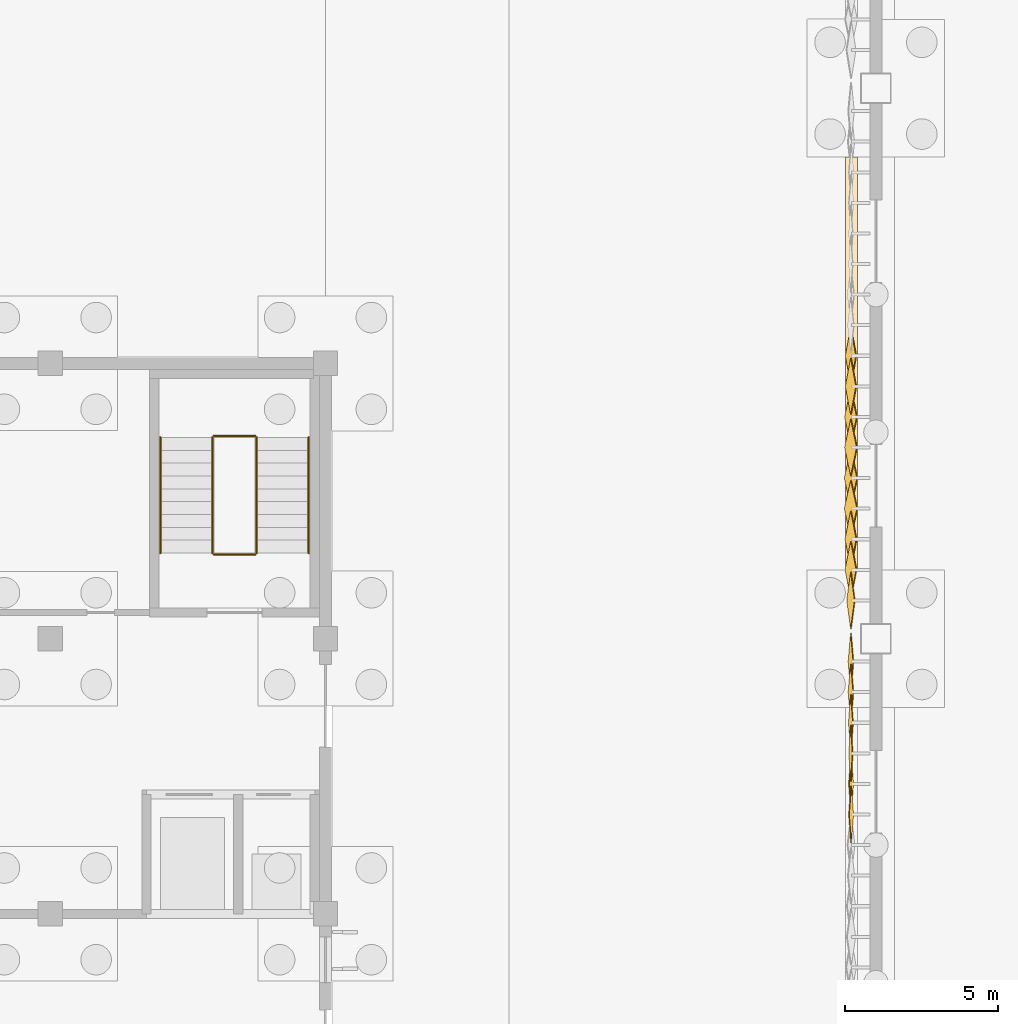
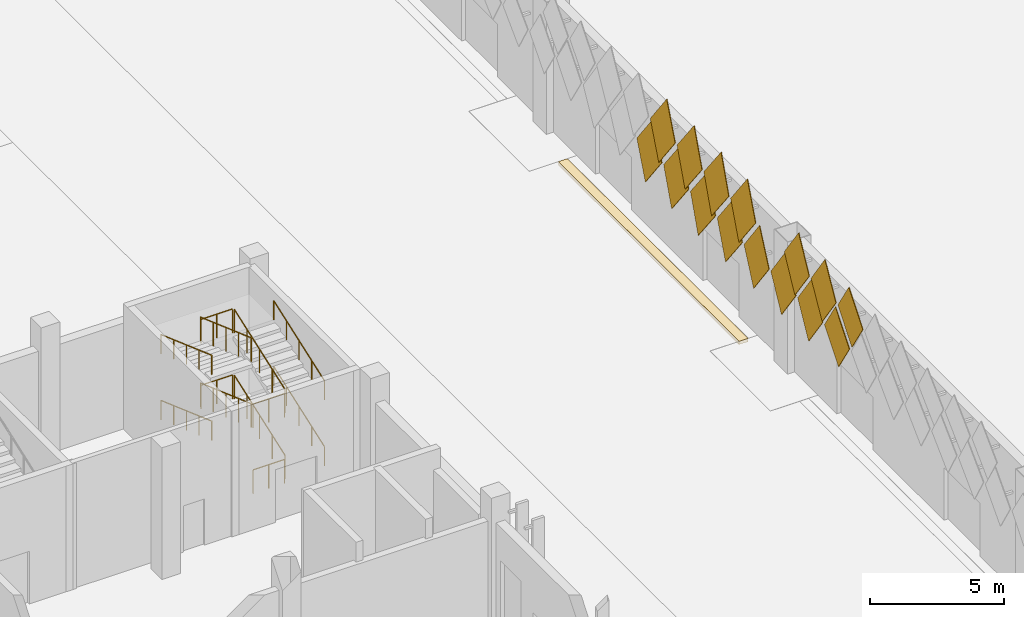
# One storey, part 151 of 198: 16 coverings, 12 railings.
"""IFC4 building model written with IfcOpenShell, lengths in metres."""

from ifc_helpers import new_model, si_unit, direction, frame, origin, origin_2d, place, context, subcontext, project, spatial, polyline, circle, outline, extrude, material, layer, layer_set, constituent, constituent_set, material_profile, profile_set, type_object, element, save


model = new_model("IFC4")

# Units and contexts
model_context = context("Model", 3, precision=1e-05, world=origin(), true_north=direction((0.0, 1.0)))
body_context = subcontext(model_context, "Body", "Model", "MODEL_VIEW")
ifc_project = project(units=[si_unit("LENGTHUNIT", "METRE"), si_unit("AREAUNIT", "SQUARE_METRE"), si_unit("VOLUMEUNIT", "CUBIC_METRE"), si_unit("PLANEANGLEUNIT", "RADIAN"), si_unit("MASSUNIT", "GRAM", prefix="KILO")], contexts=[model_context])

# Site, building, storey
site_placement = place(None, origin())
site = spatial("IfcSite", under=ifc_project, at=site_placement, CompositionType="ELEMENT")
building_placement = place(site_placement, origin())
building = spatial("IfcBuilding", under=site, at=building_placement, Name="Opaline Strait Convention Centre", CompositionType="ELEMENT")
storey_placement = place(building_placement, origin())
storey = spatial("IfcBuildingStorey", under=building, at=storey_placement, Name="L00", CompositionType="ELEMENT", Elevation=0.0)

# Coverings
ifc_material_1 = material(Name="White ceramic-faced aluminium tile", Category="aluminium")
ifc_material_profile_1 = material_profile(ifc_material_1, outline(polyline([(0.927978515625, 0.0), (0.0, 1.39208984375), (-0.927978515625, 0.0), (0.0, -1.39208984375), (0.927978515625, 0.0)])), Name="Diamond tile 1856x2784")
ifc_profile_set_1 = profile_set([ifc_material_profile_1], Name="White ceramic-faced aluminium tile")
covering_type_1 = type_object("IfcCoveringType", Name="Diamond wall tile 1856x2784x30 pivot 2.5 deg", PredefinedType="CLADDING", material=ifc_profile_set_1)
for number, where, z_axis, x_axis, name in (
    (1, (98.199951171875, 85.25, 4.39208984375), (-0.998812351125, 0.0, -0.048722553713), (0.0, -1.0, 0.0), "Wall tile XT05 W"),
    (2, (98.199951171875, 86.25, 5.89208984375), (-0.999174794796, 0.0, 0.040616861577), (0.0, -1.0, 0.0), "Wall tile XT05 W"),
    (3, (98.199951171875, 84.25, 5.89208984375), (-0.998812351125, 0.0, -0.048722553713), (0.0, -1.0, 0.0), "Wall tile XT05 W"),
):
    element("IfcCovering", number, at=place(storey_placement, frame(where, z_axis=z_axis, x_axis=x_axis)), inside=storey, type_object=covering_type_1, Name=name, PredefinedType="CLADDING", context=body_context, shape_type="SweptSolid", body=[
        extrude(outline(polyline([(0.927978515625, 0.0), (0.0, 1.39208984375), (-0.927978515625, 0.0), (0.0, -1.39208984375), (0.927978515625, 0.0)])), origin(), (0.0, 0.0, 1.0), 0.030029296875),
    ])
ifc_material_profile_2 = material_profile(ifc_material_1, outline(polyline([(0.927978515625, 0.0), (0.0, 1.39208984375), (-0.927978515625, 0.0), (0.0, -1.39208984375), (0.927978515625, 0.0)])), Name="Diamond tile 1856x2784")
ifc_profile_set_2 = profile_set([ifc_material_profile_2], Name="White ceramic-faced aluminium tile")
covering_type_2 = type_object("IfcCoveringType", Name="Diamond wall tile 1856x2784x30 pivot 3 deg", PredefinedType="CLADDING", material=ifc_profile_set_2)
covering_1_placement = place(storey_placement, frame((98.199951171875, 87.25, 4.39208984375), z_axis=(-0.998812351125, 0.0, 0.048722553713), x_axis=(0.0, -1.0, 0.0)))
element("IfcCovering", 4, at=covering_1_placement, inside=storey, type_object=covering_type_2, Name="Wall tile XT06 W", PredefinedType="CLADDING", context=body_context, shape_type="SweptSolid", body=[
    extrude(outline(polyline([(0.927978515625, 0.0), (0.0, 1.39208984375), (-0.927978515625, 0.0), (0.0, -1.39208984375), (0.927978515625, 0.0)])), origin(), (0.0, 0.0, 1.0), 0.030029296875),
])
ifc_material_profile_3 = material_profile(ifc_material_1, outline(polyline([(0.927978515625, 0.0), (0.0, 1.39208984375), (-0.927978515625, 0.0), (0.0, -1.39208984375), (0.927978515625, 0.0)])), Name="Diamond tile 1856x2784")
ifc_profile_set_3 = profile_set([ifc_material_profile_3], Name="White ceramic-faced aluminium tile")
covering_type_3 = type_object("IfcCoveringType", Name="Diamond wall tile 1856x2784x30 pivot 3.5 deg", PredefinedType="CLADDING", material=ifc_profile_set_3)
for number, where, z_axis, x_axis, name in (
    (5, (98.199951171875, 89.25, 4.39208984375), (-0.99835799028, 0.0, 0.057282835508), (0.0, -1.0, 0.0), "Wall tile XT07 W"),
    (6, (98.199951171875, 88.25, 5.89208984375), (-0.99835799028, 0.0, 0.057282835508), (0.0, -1.0, 0.0), "Wall tile XT07 W"),
):
    element("IfcCovering", number, at=place(storey_placement, frame(where, z_axis=z_axis, x_axis=x_axis)), inside=storey, type_object=covering_type_3, Name=name, PredefinedType="CLADDING", context=body_context, shape_type="SweptSolid", body=[
        extrude(outline(polyline([(0.927978515625, 0.0), (0.0, 1.39208984375), (-0.927978515625, 0.0), (0.0, -1.39208984375), (0.927978515625, 0.0)])), origin(), (0.0, 0.0, 1.0), 0.02978515625),
    ])
ifc_material_profile_4 = material_profile(ifc_material_1, outline(polyline([(0.927978515625, 0.0), (0.0, 1.39208984375), (-0.927978515625, 0.0), (0.0, -1.39208984375), (0.927978515625, 0.0)])), Name="Diamond tile 1856x2784")
ifc_profile_set_4 = profile_set([ifc_material_profile_4], Name="White ceramic-faced aluminium tile")
covering_type_4 = type_object("IfcCoveringType", Name="Diamond wall tile 1856x2784x30 pivot 5.5 deg", PredefinedType="CLADDING", material=ifc_profile_set_4)
covering_2_placement = place(storey_placement, frame((98.199951171875, 91.25, 4.39208984375), z_axis=(-0.995959849254, 0.0, 0.089799658539), x_axis=(0.0, -1.0, 0.0)))
element("IfcCovering", 7, at=covering_2_placement, inside=storey, type_object=covering_type_4, Name="Wall tile XT11 W", PredefinedType="CLADDING", context=body_context, shape_type="SweptSolid", body=[
    extrude(outline(polyline([(0.927978515625, 0.0), (0.0, 1.39208984375), (-0.927978515625, 0.0), (0.0, -1.39208984375), (0.927978515625, 0.0)])), origin(), (0.0, 0.0, 1.0), 0.02978515625),
])
ifc_material_profile_5 = material_profile(ifc_material_1, outline(polyline([(0.927978515625, 0.0), (0.0, 1.39208984375), (-0.927978515625, 0.0), (0.0, -1.39208984375), (0.927978515625, 0.0)])), Name="Diamond tile 1856x2784")
ifc_profile_set_5 = profile_set([ifc_material_profile_5], Name="White ceramic-faced aluminium tile")
covering_type_5 = type_object("IfcCoveringType", Name="Diamond wall tile 1856x2784x30 pivot 7 deg", PredefinedType="CLADDING", material=ifc_profile_set_5)
for number, where, z_axis, x_axis, name in (
    (8, (98.199951171875, 99.25, 4.39208984375), (-0.992526177815, 0.0, 0.122031907108), (0.0, -1.0, 0.0), "Wall tile XT14 W"),
    (9, (98.199951171875, 98.25, 5.89208984375), (-0.992526177815, 0.0, 0.122031907108), (0.0, -1.0, 0.0), "Wall tile XT14 W"),
):
    element("IfcCovering", number, at=place(storey_placement, frame(where, z_axis=z_axis, x_axis=x_axis)), inside=storey, type_object=covering_type_5, Name=name, PredefinedType="CLADDING", context=body_context, shape_type="SweptSolid", body=[
        extrude(outline(polyline([(0.927978515625, 0.0), (0.0, 1.39208984375), (-0.927978515625, 0.0), (0.0, -1.39208984375), (0.927978515625, 0.0)])), origin(), (0.0, 0.0, 1.0), 0.030029296875),
    ])
ifc_material_profile_6 = material_profile(ifc_material_1, outline(polyline([(0.927978515625, 0.0), (0.0, 1.39208984375), (-0.927978515625, 0.0), (0.0, -1.39208984375), (0.927978515625, 0.0)])), Name="Diamond tile 1856x2784")
ifc_profile_set_6 = profile_set([ifc_material_profile_6], Name="White ceramic-faced aluminium tile")
covering_type_6 = type_object("IfcCoveringType", Name="Diamond wall tile 1856x2784x30 pivot 7.5 deg", PredefinedType="CLADDING", material=ifc_profile_set_6)
for number, where, z_axis, x_axis, name in (
    (10, (98.199951171875, 93.25, 4.39208984375), (-0.991509530601, 0.0, 0.1300340368), (0.0, -1.0, 0.0), "Wall tile XT15 W"),
    (11, (98.199951171875, 92.25, 5.89208984375), (-0.991509530601, 0.0, 0.1300340368), (0.0, -1.0, 0.0), "Wall tile XT15 W"),
):
    element("IfcCovering", number, at=place(storey_placement, frame(where, z_axis=z_axis, x_axis=x_axis)), inside=storey, type_object=covering_type_6, Name=name, PredefinedType="CLADDING", context=body_context, shape_type="SweptSolid", body=[
        extrude(outline(polyline([(0.927978515625, 0.0), (0.0, 1.39208984375), (-0.927978515625, 0.0), (0.0, -1.39208984375), (0.927978515625, 0.0)])), origin(), (0.0, 0.0, 1.0), 0.030029296875),
    ])
ifc_material_profile_7 = material_profile(ifc_material_1, outline(polyline([(0.927978515625, 0.0), (0.0, 1.39208984375), (-0.927978515625, 0.0), (0.0, -1.39208984375), (0.927978515625, 0.0)])), Name="Diamond tile 1856x2784")
ifc_profile_set_7 = profile_set([ifc_material_profile_7], Name="White ceramic-faced aluminium tile")
covering_type_7 = type_object("IfcCoveringType", Name="Diamond wall tile 1856x2784x30 pivot 8 deg", PredefinedType="CLADDING", material=ifc_profile_set_7)
for number, where, z_axis, x_axis, name in (
    (12, (98.199951171875, 97.25, 4.39208984375), (-0.990274204789, 0.0, 0.139129433731), (0.0, -1.0, 0.0), "Wall tile XT16 W"),
    (13, (98.199951171875, 96.25, 5.89208984375), (-0.990274204789, 0.0, 0.139129433731), (0.0, -1.0, 0.0), "Wall tile XT16 W"),
):
    element("IfcCovering", number, at=place(storey_placement, frame(where, z_axis=z_axis, x_axis=x_axis)), inside=storey, type_object=covering_type_7, Name=name, PredefinedType="CLADDING", context=body_context, shape_type="SweptSolid", body=[
        extrude(outline(polyline([(0.927978515625, 0.0), (0.0, 1.39208984375), (-0.927978515625, 0.0), (0.0, -1.39208984375), (0.927978515625, 0.0)])), origin(), (0.0, 0.0, 1.0), 0.02978515625),
    ])
ifc_material_profile_8 = material_profile(ifc_material_1, outline(polyline([(0.927978515625, 0.0), (0.0, 1.39208984375), (-0.927978515625, 0.0), (0.0, -1.39208984375), (0.927978515625, 0.0)])), Name="Diamond tile 1856x2784")
ifc_profile_set_8 = profile_set([ifc_material_profile_8], Name="White ceramic-faced aluminium tile")
covering_type_8 = type_object("IfcCoveringType", Name="Diamond wall tile 1856x2784x30 pivot 8.5 deg", PredefinedType="CLADDING", material=ifc_profile_set_8)
for number, where, z_axis, x_axis, name in (
    (14, (98.199951171875, 95.25, 4.39208984375), (-0.989115504946, 0.0, 0.147141149496), (0.0, -1.0, 0.0), "Wall tile XT17 W"),
    (15, (98.199951171875, 94.25, 5.89208984375), (-0.989115504946, 0.0, 0.147141149496), (0.0, -1.0, 0.0), "Wall tile XT17 W"),
):
    element("IfcCovering", number, at=place(storey_placement, frame(where, z_axis=z_axis, x_axis=x_axis)), inside=storey, type_object=covering_type_8, Name=name, PredefinedType="CLADDING", context=body_context, shape_type="SweptSolid", body=[
        extrude(outline(polyline([(0.927978515625, 0.0), (0.0, 1.39208984375), (-0.927978515625, 0.0), (0.0, -1.39208984375), (0.927978515625, 0.0)])), origin(), (0.0, 0.0, 1.0), 0.02978515625),
    ])
ifc_material_2 = material(Name="Concrete C30 exposed aggregate", Category="concrete")
ifc_layer = layer(ifc_material_2, 0.14990234375)
ifc_layer_set = layer_set([ifc_layer], Name="Concrete C30 exposed aggregate")
covering_type_9 = type_object("IfcCoveringType", Name="Site paving 150", PredefinedType="FLOORING", material=ifc_layer_set)
covering_3_placement = place(storey_placement, frame((0.0, 0.0, -0.14990234375)))
element("IfcCovering", 16, at=covering_3_placement, inside=storey, type_object=covering_type_9, Name="Site paving surfacing", PredefinedType="FLOORING", context=body_context, shape_type="SweptSolid", body=[
    extrude(outline(polyline([(98.39501953125, 105.7451171875), (98.0, 105.7451171875), (98.0, 92.2548828125), (98.39501953125, 92.2548828125), (98.39501953125, 105.7451171875)])), origin(), (0.0, 0.0, 1.0), 0.14990234375),
])

# Railings
ifc_material_3 = material(Name="Steel Q235B", Category="steel")
ifc_constituent_1 = constituent(ifc_material_3, Name="Frame")
ifc_material_4 = material(Name="Safety glass, bonded interlayer", Category="glass")
ifc_constituent_2 = constituent(ifc_material_4, Name="Infill")
ifc_constituent_set = constituent_set(constituents=[ifc_constituent_1, ifc_constituent_2], Name="Steel Q235B, Safety glass, bonded interlayer")
railing_type_1 = type_object("IfcRailingType", Name="Stair guard 1100 Q235B and glass", PredefinedType="GUARDRAIL", material=ifc_constituent_set)
railing_1_placement = place(storey_placement, frame((78.75, 92.800048828125, 0.14990234375)))
element("IfcRailing", 17, at=railing_1_placement, inside=storey, type_object=railing_type_1, Name="L00 NEA stair guard 1", PredefinedType="GUARDRAIL", context=body_context, shape_type="SweptSolid", body=[
    extrude(circle(Radius=0.02392578125, at=origin_2d()), frame((0.0, 0.0, 1.076171875), z_axis=(0.0, 0.941735030876, 0.336355662388), x_axis=(-1.0, 0.0, 0.0)), (0.0, 0.0, 1.0), 4.013916015625),
    extrude(circle(Radius=0.02099609375, at=origin_2d()), origin(), (0.0, 0.0, 1.0), 1.052001953125),
    extrude(circle(Radius=0.02099609375, at=origin_2d()), frame((0.0, 0.945068359375, 0.33740234375)), (0.0, 0.0, 1.0), 1.052001953125),
    extrude(circle(Radius=0.02099609375, at=origin_2d()), frame((0.0, 1.89013671875, 0.675048828125)), (0.0, 0.0, 1.0), 1.052001953125),
    extrude(circle(Radius=0.02099609375, at=origin_2d()), frame((0.0, 2.8349609375, 1.0126953125)), (0.0, 0.0, 1.0), 1.052001953125),
    extrude(circle(Radius=0.02099609375, at=origin_2d()), frame((0.0, 3.780029296875, 1.35009765625)), (0.0, 0.0, 1.0), 1.052001953125),
])
railing_2_placement = place(storey_placement, frame((78.699951171875, 96.6298828125, 1.5)))
element("IfcRailing", 18, at=railing_2_placement, inside=storey, type_object=railing_type_1, Name="L00 NEA stair guard 2", PredefinedType="GUARDRAIL", context=body_context, shape_type="SweptSolid", body=[
    extrude(circle(Radius=0.02392578125, at=origin_2d()), frame((0.0, 0.0, 1.076171875), z_axis=(-1.0, 0.0, 0.0), x_axis=(0.0, -1.0, 0.0)), (0.0, 0.0, 1.0), 1.349853515625),
    extrude(circle(Radius=0.02099609375, at=origin_2d()), origin(), (0.0, 0.0, 1.0), 1.052001953125),
    extrude(circle(Radius=0.02099609375, at=origin_2d()), frame((-0.6748046875, 0.0, 0.0)), (0.0, 0.0, 1.0), 1.052001953125),
    extrude(circle(Radius=0.02099609375, at=origin_2d()), frame((-1.349853515625, 0.0, 0.0)), (0.0, 0.0, 1.0), 1.052001953125),
])
railing_3_placement = place(storey_placement, frame((77.300048828125, 96.580078125, 1.64990234375)))
element("IfcRailing", 19, at=railing_3_placement, inside=storey, type_object=railing_type_1, Name="L00 NEA stair guard 3", PredefinedType="GUARDRAIL", context=body_context, shape_type="SweptSolid", body=[
    extrude(circle(Radius=0.02392578125, at=origin_2d()), frame((0.0, 0.0, 1.076171875), z_axis=(0.0, -0.941735030876, 0.336355662388), x_axis=(1.0, 0.0, 0.0)), (0.0, 0.0, 1.0), 4.013916015625),
    extrude(circle(Radius=0.02099609375, at=origin_2d()), origin(), (0.0, 0.0, 1.0), 1.052001953125),
    extrude(circle(Radius=0.02099609375, at=origin_2d()), frame((0.0, -0.945068359375, 0.33740234375)), (0.0, 0.0, 1.0), 1.052001953125),
    extrude(circle(Radius=0.02099609375, at=origin_2d()), frame((0.0, -1.89013671875, 0.675048828125)), (0.0, 0.0, 1.0), 1.052001953125),
    extrude(circle(Radius=0.02099609375, at=origin_2d()), frame((0.0, -2.8349609375, 1.0126953125)), (0.0, 0.0, 1.0), 1.052001953125),
    extrude(circle(Radius=0.02099609375, at=origin_2d()), frame((0.0, -3.780029296875, 1.35009765625)), (0.0, 0.0, 1.0), 1.052001953125),
])
railing_4_placement = place(storey_placement, frame((78.699951171875, 92.75, 3.0)))
element("IfcRailing", 20, at=railing_4_placement, inside=storey, type_object=railing_type_1, Name="L00 NEA stair guard 4", PredefinedType="GUARDRAIL", context=body_context, shape_type="SweptSolid", body=[
    extrude(circle(Radius=0.02392578125, at=origin_2d()), frame((0.0, 0.0, 1.076171875), z_axis=(-1.0, 0.0, 0.0), x_axis=(0.0, -1.0, 0.0)), (0.0, 0.0, 1.0), 1.349853515625),
    extrude(circle(Radius=0.02099609375, at=origin_2d()), origin(), (0.0, 0.0, 1.0), 1.052001953125),
    extrude(circle(Radius=0.02099609375, at=origin_2d()), frame((-0.6748046875, 0.0, 0.0)), (0.0, 0.0, 1.0), 1.052001953125),
    extrude(circle(Radius=0.02099609375, at=origin_2d()), frame((-1.349853515625, 0.0, 0.0)), (0.0, 0.0, 1.0), 1.052001953125),
])
railing_5_placement = place(storey_placement, frame((78.75, 92.800048828125, 3.14990234375)))
element("IfcRailing", 21, at=railing_5_placement, inside=storey, type_object=railing_type_1, Name="L00 NEA stair guard 5", PredefinedType="GUARDRAIL", context=body_context, shape_type="SweptSolid", body=[
    extrude(circle(Radius=0.02392578125, at=origin_2d()), frame((0.0, 0.0, 1.076171875), z_axis=(0.0, 0.941735030876, 0.336355662388), x_axis=(-1.0, 0.0, 0.0)), (0.0, 0.0, 1.0), 4.013916015625),
    extrude(circle(Radius=0.02099609375, at=origin_2d()), origin(), (0.0, 0.0, 1.0), 1.052001953125),
    extrude(circle(Radius=0.02099609375, at=origin_2d()), frame((0.0, 0.945068359375, 0.33740234375)), (0.0, 0.0, 1.0), 1.052001953125),
    extrude(circle(Radius=0.02099609375, at=origin_2d()), frame((0.0, 1.89013671875, 0.675048828125)), (0.0, 0.0, 1.0), 1.052001953125),
    extrude(circle(Radius=0.02099609375, at=origin_2d()), frame((0.0, 2.8349609375, 1.0126953125)), (0.0, 0.0, 1.0), 1.052001953125),
    extrude(circle(Radius=0.02099609375, at=origin_2d()), frame((0.0, 3.780029296875, 1.35009765625)), (0.0, 0.0, 1.0), 1.052001953125),
])
railing_6_placement = place(storey_placement, frame((78.699951171875, 96.6298828125, 4.5)))
element("IfcRailing", 22, at=railing_6_placement, inside=storey, type_object=railing_type_1, Name="L00 NEA stair guard 6", PredefinedType="GUARDRAIL", context=body_context, shape_type="SweptSolid", body=[
    extrude(circle(Radius=0.02392578125, at=origin_2d()), frame((0.0, 0.0, 1.076171875), z_axis=(-1.0, 0.0, 0.0), x_axis=(0.0, -1.0, 0.0)), (0.0, 0.0, 1.0), 1.349853515625),
    extrude(circle(Radius=0.02099609375, at=origin_2d()), origin(), (0.0, 0.0, 1.0), 1.052001953125),
    extrude(circle(Radius=0.02099609375, at=origin_2d()), frame((-0.6748046875, 0.0, 0.0)), (0.0, 0.0, 1.0), 1.052001953125),
    extrude(circle(Radius=0.02099609375, at=origin_2d()), frame((-1.349853515625, 0.0, 0.0)), (0.0, 0.0, 1.0), 1.052001953125),
])
railing_7_placement = place(storey_placement, frame((77.300048828125, 96.580078125, 4.64990234375)))
element("IfcRailing", 23, at=railing_7_placement, inside=storey, type_object=railing_type_1, Name="L00 NEA stair guard 7", PredefinedType="GUARDRAIL", context=body_context, shape_type="SweptSolid", body=[
    extrude(circle(Radius=0.02392578125, at=origin_2d()), frame((0.0, 0.0, 1.076171875), z_axis=(0.0, -0.941735030876, 0.336355662388), x_axis=(1.0, 0.0, 0.0)), (0.0, 0.0, 1.0), 4.013916015625),
    extrude(circle(Radius=0.02099609375, at=origin_2d()), origin(), (0.0, 0.0, 1.0), 1.052001953125),
    extrude(circle(Radius=0.02099609375, at=origin_2d()), frame((0.0, -0.945068359375, 0.33740234375)), (0.0, 0.0, 1.0), 1.052001953125),
    extrude(circle(Radius=0.02099609375, at=origin_2d()), frame((0.0, -1.89013671875, 0.675048828125)), (0.0, 0.0, 1.0), 1.052001953125),
    extrude(circle(Radius=0.02099609375, at=origin_2d()), frame((0.0, -2.8349609375, 1.0126953125)), (0.0, 0.0, 1.0), 1.052001953125),
    extrude(circle(Radius=0.02099609375, at=origin_2d()), frame((0.0, -3.780029296875, 1.35009765625)), (0.0, 0.0, 1.0), 1.052001953125),
])
railing_8_placement = place(storey_placement, frame((78.699951171875, 92.75, 0.0)))
element("IfcRailing", 24, at=railing_8_placement, inside=storey, type_object=railing_type_1, Name="L00 NEA stair guard 8", PredefinedType="GUARDRAIL", context=body_context, shape_type="SweptSolid", body=[
    extrude(circle(Radius=0.02392578125, at=origin_2d()), frame((0.0, 0.0, 1.076171875), z_axis=(-1.0, 0.0, 0.0), x_axis=(0.0, -1.0, 0.0)), (0.0, 0.0, 1.0), 1.349853515625),
    extrude(circle(Radius=0.02099609375, at=origin_2d()), origin(), (0.0, 0.0, 1.0), 1.052001953125),
    extrude(circle(Radius=0.02099609375, at=origin_2d()), frame((-0.6748046875, 0.0, 0.0)), (0.0, 0.0, 1.0), 1.052001953125),
    extrude(circle(Radius=0.02099609375, at=origin_2d()), frame((-1.349853515625, 0.0, 0.0)), (0.0, 0.0, 1.0), 1.052001953125),
])
ifc_material_5 = material(Name="Stainless steel 304", Category="steel")
railing_type_2 = type_object("IfcRailingType", Name="Stair handrail 900 stainless 304", PredefinedType="HANDRAIL", material=ifc_material_5)
railing_9_placement = place(storey_placement, frame((80.449951171875, 92.800048828125, 0.14990234375)))
element("IfcRailing", 25, at=railing_9_placement, inside=storey, type_object=railing_type_2, Name="L00 NEA stair handrail 1", PredefinedType="HANDRAIL", context=body_context, shape_type="SweptSolid", body=[
    extrude(circle(Radius=0.02392578125, at=origin_2d()), frame((0.0, 0.0, 0.8759765625), z_axis=(0.0, 0.941735030876, 0.336355662388), x_axis=(-1.0, 0.0, 0.0)), (0.0, 0.0, 1.0), 4.013916015625),
    extrude(circle(Radius=0.02099609375, at=origin_2d()), origin(), (0.0, 0.0, 1.0), 0.851806640625),
    extrude(circle(Radius=0.02099609375, at=origin_2d()), frame((0.0, 0.945068359375, 0.33740234375)), (0.0, 0.0, 1.0), 0.851806640625),
    extrude(circle(Radius=0.02099609375, at=origin_2d()), frame((0.0, 1.89013671875, 0.675048828125)), (0.0, 0.0, 1.0), 0.851806640625),
    extrude(circle(Radius=0.02099609375, at=origin_2d()), frame((0.0, 2.8349609375, 1.0126953125)), (0.0, 0.0, 1.0), 0.851806640625),
    extrude(circle(Radius=0.02099609375, at=origin_2d()), frame((0.0, 3.780029296875, 1.35009765625)), (0.0, 0.0, 1.0), 0.851806640625),
])
railing_10_placement = place(storey_placement, frame((75.60009765625, 96.580078125, 1.64990234375)))
element("IfcRailing", 26, at=railing_10_placement, inside=storey, type_object=railing_type_2, Name="L00 NEA stair handrail 2", PredefinedType="HANDRAIL", context=body_context, shape_type="SweptSolid", body=[
    extrude(circle(Radius=0.02392578125, at=origin_2d()), frame((0.0, 0.0, 0.8759765625), z_axis=(0.0, -0.941735030876, 0.336355662388), x_axis=(1.0, 0.0, 0.0)), (0.0, 0.0, 1.0), 4.013916015625),
    extrude(circle(Radius=0.02099609375, at=origin_2d()), origin(), (0.0, 0.0, 1.0), 0.851806640625),
    extrude(circle(Radius=0.02099609375, at=origin_2d()), frame((0.0, -0.945068359375, 0.33740234375)), (0.0, 0.0, 1.0), 0.851806640625),
    extrude(circle(Radius=0.02099609375, at=origin_2d()), frame((0.0, -1.89013671875, 0.675048828125)), (0.0, 0.0, 1.0), 0.851806640625),
    extrude(circle(Radius=0.02099609375, at=origin_2d()), frame((0.0, -2.8349609375, 1.0126953125)), (0.0, 0.0, 1.0), 0.851806640625),
    extrude(circle(Radius=0.02099609375, at=origin_2d()), frame((0.0, -3.780029296875, 1.35009765625)), (0.0, 0.0, 1.0), 0.851806640625),
])
railing_11_placement = place(storey_placement, frame((80.449951171875, 92.800048828125, 3.14990234375)))
element("IfcRailing", 27, at=railing_11_placement, inside=storey, type_object=railing_type_2, Name="L00 NEA stair handrail 3", PredefinedType="HANDRAIL", context=body_context, shape_type="SweptSolid", body=[
    extrude(circle(Radius=0.02392578125, at=origin_2d()), frame((0.0, 0.0, 0.8759765625), z_axis=(0.0, 0.941735030876, 0.336355662388), x_axis=(-1.0, 0.0, 0.0)), (0.0, 0.0, 1.0), 4.013916015625),
    extrude(circle(Radius=0.02099609375, at=origin_2d()), origin(), (0.0, 0.0, 1.0), 0.851806640625),
    extrude(circle(Radius=0.02099609375, at=origin_2d()), frame((0.0, 0.945068359375, 0.33740234375)), (0.0, 0.0, 1.0), 0.851806640625),
    extrude(circle(Radius=0.02099609375, at=origin_2d()), frame((0.0, 1.89013671875, 0.675048828125)), (0.0, 0.0, 1.0), 0.851806640625),
    extrude(circle(Radius=0.02099609375, at=origin_2d()), frame((0.0, 2.8349609375, 1.0126953125)), (0.0, 0.0, 1.0), 0.851806640625),
    extrude(circle(Radius=0.02099609375, at=origin_2d()), frame((0.0, 3.780029296875, 1.35009765625)), (0.0, 0.0, 1.0), 0.851806640625),
])
railing_12_placement = place(storey_placement, frame((75.60009765625, 96.580078125, 4.64990234375)))
element("IfcRailing", 28, at=railing_12_placement, inside=storey, type_object=railing_type_2, Name="L00 NEA stair handrail 4", PredefinedType="HANDRAIL", context=body_context, shape_type="SweptSolid", body=[
    extrude(circle(Radius=0.02392578125, at=origin_2d()), frame((0.0, 0.0, 0.8759765625), z_axis=(0.0, -0.941735030876, 0.336355662388), x_axis=(1.0, 0.0, 0.0)), (0.0, 0.0, 1.0), 4.013916015625),
    extrude(circle(Radius=0.02099609375, at=origin_2d()), origin(), (0.0, 0.0, 1.0), 0.851806640625),
    extrude(circle(Radius=0.02099609375, at=origin_2d()), frame((0.0, -0.945068359375, 0.33740234375)), (0.0, 0.0, 1.0), 0.851806640625),
    extrude(circle(Radius=0.02099609375, at=origin_2d()), frame((0.0, -1.89013671875, 0.675048828125)), (0.0, 0.0, 1.0), 0.851806640625),
    extrude(circle(Radius=0.02099609375, at=origin_2d()), frame((0.0, -2.8349609375, 1.0126953125)), (0.0, 0.0, 1.0), 0.851806640625),
    extrude(circle(Radius=0.02099609375, at=origin_2d()), frame((0.0, -3.780029296875, 1.35009765625)), (0.0, 0.0, 1.0), 0.851806640625),
])

save(model, "model.ifc")
